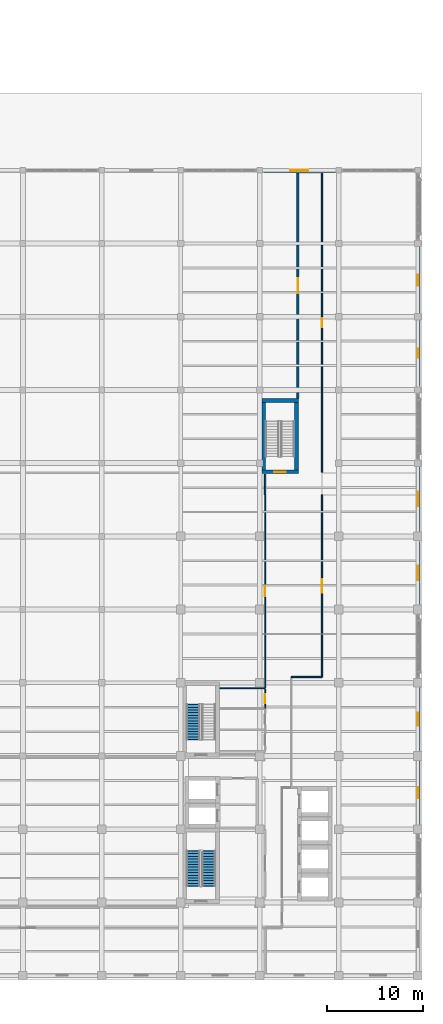
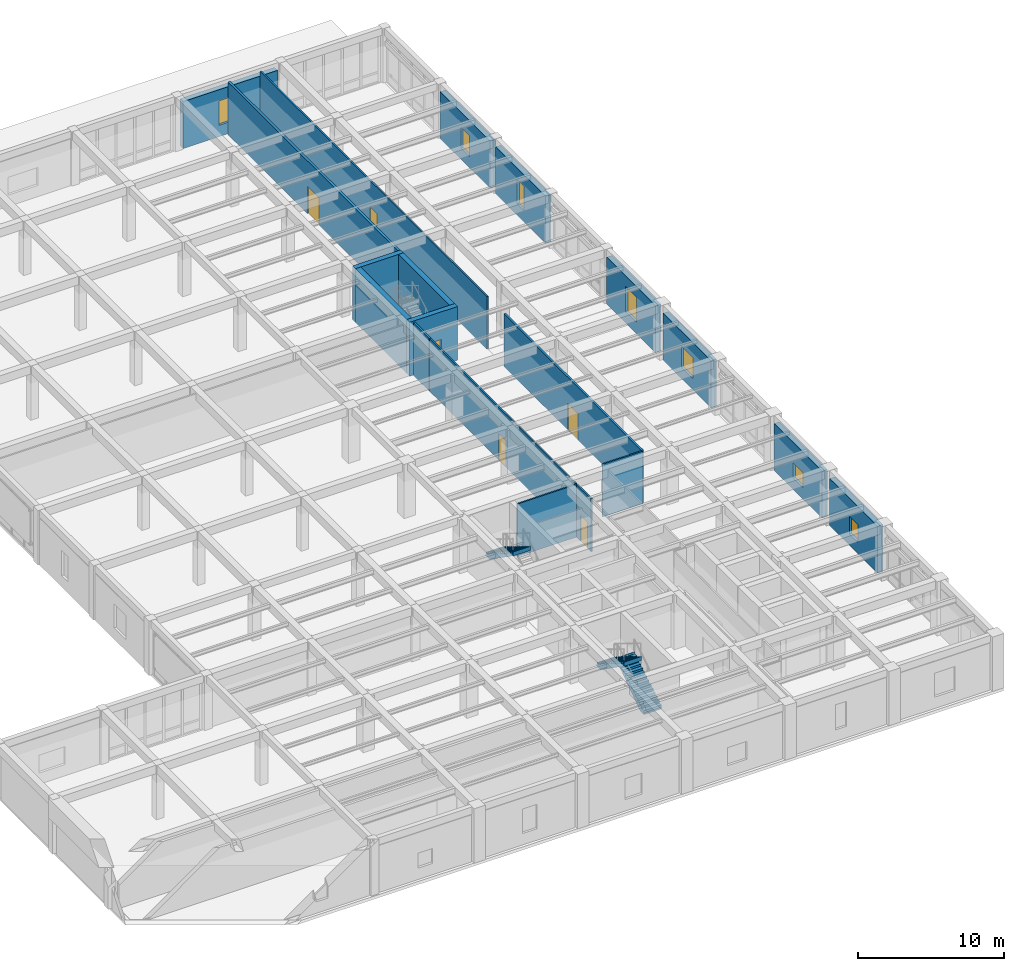
# One storey, part 39 of 49: 19 walls, 7 windows, 6 doors, 3 stair flights, 13 openings, 2 elements without a shape of their own.
"""IFC4 building model written with IfcOpenShell, lengths in metres."""

from ifc_helpers import new_model, si_unit, direction, frame, frame_2d, origin, place, context, subcontext, project, spatial, polyline, rectangle, outline, extrude, material, layer, layer_set, type_object, element, fill, aggregate, save


model = new_model("IFC4")

# Units and contexts
model_context = context("Model", 3, precision=1e-05, world=origin(), true_north=direction((0.0, 1.0)))
body_context = subcontext(model_context, "Body", "Model", "MODEL_VIEW")
ifc_project = project(units=[si_unit("LENGTHUNIT", "METRE"), si_unit("AREAUNIT", "SQUARE_METRE"), si_unit("VOLUMEUNIT", "CUBIC_METRE"), si_unit("PLANEANGLEUNIT", "RADIAN"), si_unit("MASSUNIT", "GRAM", prefix="KILO")], contexts=[model_context])

# Site, building, storey
site_placement = place(None, origin())
site = spatial("IfcSite", under=ifc_project, at=site_placement, CompositionType="ELEMENT")
building_placement = place(site_placement, origin())
building = spatial("IfcBuilding", under=site, at=building_placement, Name="Qandaris Square Conservatory and Botanical Centre", CompositionType="ELEMENT")
storey_placement = place(building_placement, frame((0.0, 0.0, 10.199951171875)))
storey = spatial("IfcBuildingStorey", under=building, at=storey_placement, Name="L02", CompositionType="ELEMENT", Elevation=10.199951171875)

# Wall, opening, door
ifc_material_1 = material(Name="Gypsum Plasterboard", Category="gypsum")
ifc_layer_1 = layer(ifc_material_1, 0.14990234375)
ifc_layer_set_1 = layer_set([ifc_layer_1], Name="Gypsum Plasterboard")
wall_type_1 = type_object("IfcWallType", Name="Acoustic Laboratory Partition 150mm", PredefinedType="PARTITIONING", material=ifc_layer_set_1)
wall_1_placement = place(storey_placement, frame((153.85009765625, 66.5, 0.0), z_axis=(0.0, 0.0, 1.0), x_axis=(0.0, -1.0, 0.0)))
wall_1 = element("IfcWall", 1, at=wall_1_placement, inside=storey, type_object=wall_type_1, Name="Interior Partition IW-L02-0151", PredefinedType="PARTITIONING", context=body_context, shape_type="SweptSolid", body=[
    extrude(rectangle(XDim=18.89990234375, YDim=0.14990234375, at=frame_2d((9.449951171875, 0.0))), origin(), (0.0, 0.0, 1.0), 4.405029296875),
])
opening_1_placement = place(wall_1_placement, frame((8.75, 0.0, 0.0)))
opening_1 = element("IfcOpeningElement", 2, at=opening_1_placement, cuts=wall_1, Name="Opening D-LAB1", PredefinedType="OPENING", context=body_context, shape_type="SweptSolid", body=[
    extrude(rectangle(XDim=1.39990234375, YDim=2.199951171875, at=frame_2d((0.699951171875, 1.10009765625))), frame((0.0, 0.0869140625, 0.0), z_axis=(0.0, -1.0, 0.0), x_axis=(1.0, 0.0, 0.0)), (0.0, 0.0, 1.0), 0.173828125),
])
ifc_material_2 = material(Name="Engineered Oak Timber", Category="wood")
door_type_1 = type_object("IfcDoorType", Name="Research Laboratory Leaf-and-Half Door 1400x2200", OperationType="DOUBLE_DOOR_SINGLE_SWING", PredefinedType="DOOR", material=ifc_material_2)
door_1_placement = place(opening_1_placement, frame((1.39990234375, 0.0, 0.0), z_axis=(0.0, 0.0, 1.0), x_axis=(-1.0, 0.0, 0.0)))
door_1 = element("IfcDoor", 3, at=door_1_placement, inside=storey, type_object=door_type_1, Name="DR-0131 Plant Taxonomy Wet Laboratory Door", OperationType="DOUBLE_DOOR_SINGLE_SWING", OverallHeight=2.199951171875, OverallWidth=1.39990234375, PredefinedType="DOOR", context=body_context, shape_type="SweptSolid", body=[
    extrude(rectangle(XDim=1.39990234375, YDim=2.199951171875, at=frame_2d((0.699951171875, 1.10009765625))), frame((0.0, 0.02490234375, 0.0), z_axis=(0.0, -1.0, 0.0), x_axis=(1.0, 0.0, 0.0)), (0.0, 0.0, 1.0), 0.050048828125),
])
fill(opening_1, door_1)

# Wall
wall_2_placement = place(storey_placement, frame((147.949951171875, 66.5, 0.0), z_axis=(0.0, 0.0, 1.0), x_axis=(0.0, 1.0, 0.0)))
element("IfcWall", 4, at=wall_2_placement, inside=storey, type_object=wall_type_1, Name="Interior Partition IW-L02-0156", PredefinedType="PARTITIONING", context=body_context, shape_type="SweptSolid", body=[
    extrude(rectangle(XDim=2.169921875, YDim=0.14990234375, at=frame_2d((1.0849609375, 0.0))), origin(), (0.0, 0.0, 1.0), 4.405029296875),
])

# Wall, opening, door
ifc_material_3 = material(Name="Concrete C40/50", Category="concrete")
ifc_layer_2 = layer(ifc_material_3, 0.199951171875)
ifc_layer_set_2 = layer_set([ifc_layer_2], Name="Concrete C40/50")
wall_type_2 = type_object("IfcWallType", Name="Herbarium & Plant Compartment Wall 200mm", PredefinedType="PARTITIONING", material=ifc_layer_set_2)
wall_3_placement = place(storey_placement, frame((151.35009765625, 76.530029296875, 0.0), z_axis=(0.0, 0.0, 1.0), x_axis=(0.0, 1.0, 0.0)))
wall_3 = element("IfcWall", 5, at=wall_3_placement, inside=storey, type_object=wall_type_2, Name="Interior Partition IW-L02-0157", PredefinedType="PARTITIONING", context=body_context, shape_type="SweptSolid", body=[
    extrude(rectangle(XDim=23.369873046875, YDim=0.199951171875, at=frame_2d((11.68505859375, 0.0))), origin(), (0.0, 0.0, 1.0), 4.405029296875),
])
opening_2_placement = place(wall_3_placement, frame((10.885009765625, 0.0, 0.0)))
opening_2 = element("IfcOpeningElement", 6, at=opening_2_placement, cuts=wall_3, Name="Opening D-HRB1", PredefinedType="OPENING", context=body_context, shape_type="SweptSolid", body=[
    extrude(rectangle(XDim=1.60009765625, YDim=2.300048828125, at=frame_2d((0.800048828125, 1.14990234375))), frame((0.0, 0.11181640625, 0.0), z_axis=(0.0, -1.0, 0.0), x_axis=(1.0, 0.0, 0.0)), (0.0, 0.0, 1.0), 0.223876953125),
])
ifc_material_4 = material(Name="Steel S355", Category="steel")
door_type_2 = type_object("IfcDoorType", Name="Herbarium Sealable Specimen Double Door 1600x2300", OperationType="DOUBLE_DOOR_SINGLE_SWING", PredefinedType="DOOR", material=ifc_material_4)
door_2_placement = place(opening_2_placement, frame((1.60009765625, 0.0, 0.0), z_axis=(0.0, 0.0, 1.0), x_axis=(-1.0, 0.0, 0.0)))
door_2 = element("IfcDoor", 7, at=door_2_placement, inside=storey, type_object=door_type_2, Name="DR-0130 Cryptogamic Herbarium Collection Door", OperationType="DOUBLE_DOOR_SINGLE_SWING", OverallHeight=2.300048828125, OverallWidth=1.60009765625, PredefinedType="DOOR", context=body_context, shape_type="SweptSolid", body=[
    extrude(rectangle(XDim=1.60009765625, YDim=2.300048828125, at=frame_2d((0.800048828125, 1.14990234375))), frame((0.0, 0.02490234375, 0.0), z_axis=(0.0, -1.0, 0.0), x_axis=(1.0, 0.0, 0.0)), (0.0, 0.0, 1.0), 0.050048828125),
])
fill(opening_2, door_2)

# Wall, opening, window
ifc_layer_3 = layer(ifc_material_3, 0.419921875)
ifc_layer_set_3 = layer_set([ifc_layer_3], Name="Concrete C40/50")
wall_type_3 = type_object("IfcWallType", Name="Insulated Qatari Limestone Cavity Wall 420mm", PredefinedType="SOLIDWALL", material=ifc_layer_set_3)
wall_4_placement = place(storey_placement, frame((163.800048828125, 32.31005859375, 0.0), z_axis=(0.0, 0.0, 1.0), x_axis=(0.0, 1.0, 0.0)))
wall_4 = element("IfcWall", 8, at=wall_4_placement, inside=storey, type_object=wall_type_3, Name="Exterior Wall EW-TWR-L02-2-3", PredefinedType="SOLIDWALL", context=body_context, shape_type="SweptSolid", body=[
    extrude(rectangle(XDim=6.579833984375, YDim=0.419921875, at=frame_2d((3.2900390625, 0.0))), origin(), (0.0, 0.0, 1.0), 3.929931640625),
])
opening_3_placement = place(wall_4_placement, frame((2.715087890625, 0.0, 0.949951171875)))
opening_3 = element("IfcOpeningElement", 9, at=opening_3_placement, cuts=wall_4, Name="Opening WN-18", PredefinedType="OPENING", context=body_context, shape_type="SweptSolid", body=[
    extrude(rectangle(XDim=1.14990234375, YDim=1.5, at=frame_2d((0.574951171875, 0.75))), frame((0.0, 0.221923828125, 0.0), z_axis=(0.0, -1.0, 0.0), x_axis=(1.0, 0.0, 0.0)), (0.0, 0.0, 1.0), 0.44384765625),
])
ifc_material_5 = material(Name="Tempered Low-E Glass", Category="glass")
window_type_1 = type_object("IfcWindowType", Name="Solar Control Window 1150x1500", PartitioningType="SINGLE_PANEL", PredefinedType="WINDOW", material=ifc_material_5)
window_1_placement = place(opening_3_placement, origin())
window_1 = element("IfcWindow", 10, at=window_1_placement, inside=storey, type_object=window_type_1, Name="Window EW-TWR-L02-2-3", OverallHeight=1.5, OverallWidth=1.14990234375, PartitioningType="SINGLE_PANEL", PredefinedType="WINDOW", context=body_context, shape_type="SweptSolid", body=[
    extrude(rectangle(XDim=1.14990234375, YDim=1.5, at=frame_2d((0.574951171875, 0.75))), frame((0.0, 0.030029296875, 0.0), z_axis=(0.0, -1.0, 0.0), x_axis=(1.0, 0.0, 0.0)), (0.0, 0.0, 1.0), 0.06005859375),
])
fill(opening_3, window_1)

wall_5_placement = place(storey_placement, frame((163.800048828125, 39.909912109375, 0.0), z_axis=(0.0, 0.0, 1.0), x_axis=(0.0, 1.0, 0.0)))
wall_5 = element("IfcWall", 11, at=wall_5_placement, inside=storey, type_object=wall_type_3, Name="Exterior Wall EW-TWR-L02-2-4", PredefinedType="SOLIDWALL", context=body_context, shape_type="SweptSolid", body=[
    extrude(rectangle(XDim=6.580078125, YDim=0.419921875, at=frame_2d((3.2900390625, 0.0))), origin(), (0.0, 0.0, 1.0), 3.929931640625),
])
opening_4_placement = place(wall_5_placement, frame((2.614990234375, 0.0, 0.949951171875)))
opening_4 = element("IfcOpeningElement", 12, at=opening_4_placement, cuts=wall_5, Name="Opening WN-21", PredefinedType="OPENING", context=body_context, shape_type="SweptSolid", body=[
    extrude(rectangle(XDim=1.35009765625, YDim=1.25, at=frame_2d((0.675048828125, 0.625))), frame((0.0, 0.221923828125, 0.0), z_axis=(0.0, -1.0, 0.0), x_axis=(1.0, 0.0, 0.0)), (0.0, 0.0, 1.0), 0.44384765625),
])
window_type_2 = type_object("IfcWindowType", Name="Solar Control Window 1350x1250", PartitioningType="SINGLE_PANEL", PredefinedType="WINDOW", material=ifc_material_5)
window_2_placement = place(opening_4_placement, origin())
window_2 = element("IfcWindow", 13, at=window_2_placement, inside=storey, type_object=window_type_2, Name="Window EW-TWR-L02-2-4", OverallHeight=1.25, OverallWidth=1.35009765625, PartitioningType="SINGLE_PANEL", PredefinedType="WINDOW", context=body_context, shape_type="SweptSolid", body=[
    extrude(rectangle(XDim=1.35009765625, YDim=1.25, at=frame_2d((0.675048828125, 0.625))), frame((0.0, 0.030029296875, 0.0), z_axis=(0.0, -1.0, 0.0), x_axis=(1.0, 0.0, 0.0)), (0.0, 0.0, 1.0), 0.06005859375),
])
fill(opening_4, window_2)

wall_6_placement = place(storey_placement, frame((163.800048828125, 55.110107421875, 0.0), z_axis=(0.0, 0.0, 1.0), x_axis=(0.0, 1.0, 0.0)))
wall_6 = element("IfcWall", 14, at=wall_6_placement, inside=storey, type_object=wall_type_3, Name="Exterior Wall EW-TWR-L02-2-6", PredefinedType="SOLIDWALL", context=body_context, shape_type="SweptSolid", body=[
    extrude(rectangle(XDim=6.579833984375, YDim=0.419921875, at=frame_2d((3.2900390625, 0.0))), origin(), (0.0, 0.0, 1.0), 3.929931640625),
])
opening_5_placement = place(wall_6_placement, frame((2.514892578125, 0.0, 0.949951171875)))
opening_5 = element("IfcOpeningElement", 15, at=opening_5_placement, cuts=wall_6, Name="Opening WN-27", PredefinedType="OPENING", context=body_context, shape_type="SweptSolid", body=[
    extrude(rectangle(XDim=1.550048828125, YDim=1.75, at=frame_2d((0.77490234375, 0.875))), frame((0.0, 0.221923828125, 0.0), z_axis=(0.0, -1.0, 0.0), x_axis=(1.0, 0.0, 0.0)), (0.0, 0.0, 1.0), 0.44384765625),
])
window_type_3 = type_object("IfcWindowType", Name="Solar Control Window 1550x1750", PartitioningType="DOUBLE_PANEL_VERTICAL", PredefinedType="WINDOW", material=ifc_material_5)
window_3_placement = place(opening_5_placement, origin())
window_3 = element("IfcWindow", 16, at=window_3_placement, inside=storey, type_object=window_type_3, Name="Window EW-TWR-L02-2-6", OverallHeight=1.75, OverallWidth=1.550048828125, PartitioningType="DOUBLE_PANEL_VERTICAL", PredefinedType="WINDOW", context=body_context, shape_type="SweptSolid", body=[
    extrude(rectangle(XDim=1.550048828125, YDim=1.75, at=frame_2d((0.77490234375, 0.875))), frame((0.0, 0.030029296875, 0.0), z_axis=(0.0, -1.0, 0.0), x_axis=(1.0, 0.0, 0.0)), (0.0, 0.0, 1.0), 0.06005859375),
])
fill(opening_5, window_3)

wall_7_placement = place(storey_placement, frame((163.800048828125, 62.7099609375, 0.0), z_axis=(0.0, 0.0, 1.0), x_axis=(0.0, 1.0, 0.0)))
wall_7 = element("IfcWall", 17, at=wall_7_placement, inside=storey, type_object=wall_type_3, Name="Exterior Wall EW-TWR-L02-2-7", PredefinedType="SOLIDWALL", context=body_context, shape_type="SweptSolid", body=[
    extrude(rectangle(XDim=6.705078125, YDim=0.419921875, at=frame_2d((3.3525390625, 0.0))), origin(), (0.0, 0.0, 1.0), 3.929931640625),
])
opening_6_placement = place(wall_7_placement, frame((2.6025390625, 0.0, 0.949951171875)))
opening_6 = element("IfcOpeningElement", 18, at=opening_6_placement, cuts=wall_7, Name="Opening WN-02", PredefinedType="OPENING", context=body_context, shape_type="SweptSolid", body=[
    extrude(rectangle(XDim=1.5, YDim=2.10009765625, at=frame_2d((0.75, 1.050048828125))), frame((0.0, 0.221923828125, 0.0), z_axis=(0.0, -1.0, 0.0), x_axis=(1.0, 0.0, 0.0)), (0.0, 0.0, 1.0), 0.44384765625),
])
window_type_4 = type_object("IfcWindowType", Name="Deep-Set Paired Research Window 1500x2100", PartitioningType="DOUBLE_PANEL_VERTICAL", PredefinedType="WINDOW", material=ifc_material_5)
window_4_placement = place(opening_6_placement, origin())
window_4 = element("IfcWindow", 19, at=window_4_placement, inside=storey, type_object=window_type_4, Name="Window EW-TWR-L02-2-7", OverallHeight=2.10009765625, OverallWidth=1.5, PartitioningType="DOUBLE_PANEL_VERTICAL", PredefinedType="WINDOW", context=body_context, shape_type="SweptSolid", body=[
    extrude(rectangle(XDim=1.5, YDim=2.10009765625, at=frame_2d((0.75, 1.050048828125))), frame((0.0, 0.030029296875, 0.0), z_axis=(0.0, -1.0, 0.0), x_axis=(1.0, 0.0, 0.0)), (0.0, 0.0, 1.0), 0.06005859375),
])
fill(opening_6, window_4)

wall_8_placement = place(storey_placement, frame((163.800048828125, 77.784912109375, 0.0), z_axis=(0.0, 0.0, 1.0), x_axis=(0.0, 1.0, 0.0)))
wall_8 = element("IfcWall", 20, at=wall_8_placement, inside=storey, type_object=wall_type_3, Name="Exterior Wall EW-TWR-L02-2-9", PredefinedType="SOLIDWALL", context=body_context, shape_type="SweptSolid", body=[
    extrude(rectangle(XDim=6.830078125, YDim=0.419921875, at=frame_2d((3.4150390625, 0.0))), origin(), (0.0, 0.0, 1.0), 3.929931640625),
])
opening_7_placement = place(wall_8_placement, frame((2.93994140625, 0.0, 0.949951171875)))
opening_7 = element("IfcOpeningElement", 21, at=opening_7_placement, cuts=wall_8, Name="Opening WN-16", PredefinedType="OPENING", context=body_context, shape_type="SweptSolid", body=[
    extrude(rectangle(XDim=0.949951171875, YDim=2.050048828125, at=frame_2d((0.47509765625, 1.02490234375))), frame((0.0, 0.221923828125, 0.0), z_axis=(0.0, -1.0, 0.0), x_axis=(1.0, 0.0, 0.0)), (0.0, 0.0, 1.0), 0.44384765625),
])
window_type_5 = type_object("IfcWindowType", Name="Solar Control Window 950x2050", PartitioningType="SINGLE_PANEL", PredefinedType="WINDOW", material=ifc_material_5)
window_5_placement = place(opening_7_placement, origin())
window_5 = element("IfcWindow", 22, at=window_5_placement, inside=storey, type_object=window_type_5, Name="Window EW-TWR-L02-2-9", OverallHeight=2.050048828125, OverallWidth=0.949951171875, PartitioningType="SINGLE_PANEL", PredefinedType="WINDOW", context=body_context, shape_type="SweptSolid", body=[
    extrude(rectangle(XDim=0.949951171875, YDim=2.050048828125, at=frame_2d((0.47509765625, 1.02490234375))), frame((0.0, 0.030029296875, 0.0), z_axis=(0.0, -1.0, 0.0), x_axis=(1.0, 0.0, 0.0)), (0.0, 0.0, 1.0), 0.06005859375),
])
fill(opening_7, window_5)

wall_9_placement = place(storey_placement, frame((163.800048828125, 85.385009765625, 0.0), z_axis=(0.0, 0.0, 1.0), x_axis=(0.0, 1.0, 0.0)))
wall_9 = element("IfcWall", 23, at=wall_9_placement, inside=storey, type_object=wall_type_3, Name="Exterior Wall EW-TWR-L02-2-10", PredefinedType="SOLIDWALL", context=body_context, shape_type="SweptSolid", body=[
    extrude(rectangle(XDim=6.830078125, YDim=0.419921875, at=frame_2d((3.4150390625, 0.0))), origin(), (0.0, 0.0, 1.0), 3.929931640625),
])
opening_8_placement = place(wall_9_placement, frame((2.840087890625, 0.0, 0.949951171875)))
opening_8 = element("IfcOpeningElement", 24, at=opening_8_placement, cuts=wall_9, Name="Opening WN-19", PredefinedType="OPENING", context=body_context, shape_type="SweptSolid", body=[
    extrude(rectangle(XDim=1.14990234375, YDim=1.75, at=frame_2d((0.574951171875, 0.875))), frame((0.0, 0.221923828125, 0.0), z_axis=(0.0, -1.0, 0.0), x_axis=(1.0, 0.0, 0.0)), (0.0, 0.0, 1.0), 0.44384765625),
])
window_type_6 = type_object("IfcWindowType", Name="Solar Control Window 1150x1750", PartitioningType="SINGLE_PANEL", PredefinedType="WINDOW", material=ifc_material_5)
window_6_placement = place(opening_8_placement, origin())
window_6 = element("IfcWindow", 25, at=window_6_placement, inside=storey, type_object=window_type_6, Name="Window EW-TWR-L02-2-10", OverallHeight=1.75, OverallWidth=1.14990234375, PartitioningType="SINGLE_PANEL", PredefinedType="WINDOW", context=body_context, shape_type="SweptSolid", body=[
    extrude(rectangle(XDim=1.14990234375, YDim=1.75, at=frame_2d((0.574951171875, 0.875))), frame((0.0, 0.030029296875, 0.0), z_axis=(0.0, -1.0, 0.0), x_axis=(1.0, 0.0, 0.0)), (0.0, 0.0, 1.0), 0.06005859375),
])
fill(opening_8, window_6)

wall_10_placement = place(storey_placement, frame((155.239990234375, 100.199951171875, 0.0), z_axis=(0.0, 0.0, 1.0), x_axis=(-1.0, 0.0, 0.0)))
wall_10 = element("IfcWall", 26, at=wall_10_placement, inside=storey, type_object=wall_type_3, Name="Exterior Wall EW-TWR-L02-3-2", PredefinedType="SOLIDWALL", context=body_context, shape_type="SweptSolid", body=[
    extrude(rectangle(XDim=7.47998046875, YDim=0.419921875, at=frame_2d((3.739990234375, 0.0))), origin(), (0.0, 0.0, 1.0), 3.929931640625),
])
opening_9_placement = place(wall_10_placement, frame((2.81494140625, 0.0, 0.949951171875)))
opening_9 = element("IfcOpeningElement", 27, at=opening_9_placement, cuts=wall_10, Name="Opening WN-32", PredefinedType="OPENING", context=body_context, shape_type="SweptSolid", body=[
    extrude(rectangle(XDim=1.85009765625, YDim=2.050048828125, at=frame_2d((0.925048828125, 1.02490234375))), frame((0.0, 0.221923828125, 0.0), z_axis=(0.0, -1.0, 0.0), x_axis=(1.0, 0.0, 0.0)), (0.0, 0.0, 1.0), 0.44384765625),
])
window_type_7 = type_object("IfcWindowType", Name="Solar Control Window 1850x2050", PartitioningType="DOUBLE_PANEL_VERTICAL", PredefinedType="WINDOW", material=ifc_material_5)
window_7_placement = place(opening_9_placement, origin())
window_7 = element("IfcWindow", 28, at=window_7_placement, inside=storey, type_object=window_type_7, Name="Window EW-TWR-L02-3-2", OverallHeight=2.050048828125, OverallWidth=1.85009765625, PartitioningType="DOUBLE_PANEL_VERTICAL", PredefinedType="WINDOW", context=body_context, shape_type="SweptSolid", body=[
    extrude(rectangle(XDim=1.85009765625, YDim=2.050048828125, at=frame_2d((0.925048828125, 1.02490234375))), frame((0.0, 0.030029296875, 0.0), z_axis=(0.0, -1.0, 0.0), x_axis=(1.0, 0.0, 0.0)), (0.0, 0.0, 1.0), 0.06005859375),
])
fill(opening_9, window_7)

# Wall, opening, door
ifc_material_6 = material(Name="Concrete C50/60", Category="concrete")
ifc_layer_4 = layer(ifc_material_6, 0.39990234375)
ifc_layer_set_4 = layer_set([ifc_layer_4], Name="Concrete C50/60")
wall_type_4 = type_object("IfcWallType", Name="RC Stair Core Shear Wall 400mm", PredefinedType="SHEAR", material=ifc_layer_set_4)
wall_11_placement = place(storey_placement, frame((147.60009765625, 68.89990234375, 0.0), z_axis=(0.0, 0.0, 1.0), x_axis=(1.0, 0.0, 0.0)))
wall_11 = element("IfcWall", 29, at=wall_11_placement, inside=storey, type_object=wall_type_4, Name="ST-3 Core Shear Wall South (L02)", PredefinedType="SHEAR", context=body_context, shape_type="SweptSolid", body=[
    extrude(rectangle(XDim=3.7998046875, YDim=0.39990234375, at=frame_2d((1.89990234375, 0.0))), origin(), (0.0, 0.0, 1.0), 4.510009765625),
])
opening_10_placement = place(wall_11_placement, frame((1.300048828125, 0.0, 0.0)))
opening_10 = element("IfcOpeningElement", 30, at=opening_10_placement, cuts=wall_11, Name="Opening D-ST1", PredefinedType="OPENING", context=body_context, shape_type="SweptSolid", body=[
    extrude(rectangle(XDim=1.199951171875, YDim=2.199951171875, at=frame_2d((0.60009765625, 1.10009765625))), frame((0.0, 0.2119140625, 0.0), z_axis=(0.0, -1.0, 0.0), x_axis=(1.0, 0.0, 0.0)), (0.0, 0.0, 1.0), 0.423828125),
])
door_type_3 = type_object("IfcDoorType", Name="Exit Stair Core Fire Door 1200x2200", OperationType="NOTDEFINED", PredefinedType="DOOR", material=ifc_material_4)
door_3_placement = place(opening_10_placement, origin())
door_3 = element("IfcDoor", 31, at=door_3_placement, inside=storey, type_object=door_type_3, Name="DR-0138 ST-3 Stair Core Door (L02)", OperationType="SINGLE_SWING_RIGHT", OverallHeight=2.199951171875, OverallWidth=1.199951171875, PredefinedType="DOOR", context=body_context, shape_type="SweptSolid", body=[
    extrude(rectangle(XDim=1.199951171875, YDim=2.199951171875, at=frame_2d((0.60009765625, 1.10009765625))), frame((0.0, 0.02490234375, 0.0), z_axis=(0.0, -1.0, 0.0), x_axis=(1.0, 0.0, 0.0)), (0.0, 0.0, 1.0), 0.050048828125),
])
fill(opening_10, door_3)

# Walls
wall_12_placement = place(storey_placement, frame((147.60009765625, 76.300048828125, 0.0), z_axis=(0.0, 0.0, 1.0), x_axis=(1.0, 0.0, 0.0)))
element("IfcWall", 32, at=wall_12_placement, inside=storey, type_object=wall_type_4, Name="ST-3 Core Shear Wall North (L02)", PredefinedType="SHEAR", context=body_context, shape_type="SweptSolid", body=[
    extrude(rectangle(XDim=3.7998046875, YDim=0.39990234375, at=frame_2d((1.89990234375, 0.0))), origin(), (0.0, 0.0, 1.0), 4.510009765625),
])
for number, where, z_axis, x_axis, name in (
    (33, (147.800048828125, 69.10009765625, 0.0), (0.0, 0.0, 1.0), (0.0, 1.0, 0.0), "ST-3 Core Shear Wall West (L02)"),
    (34, (151.199951171875, 69.10009765625, 0.0), (0.0, 0.0, 1.0), (0.0, 1.0, 0.0), "ST-3 Core Shear Wall East (L02)"),
):
    element("IfcWall", number, at=place(storey_placement, frame(where, z_axis=z_axis, x_axis=x_axis)), inside=storey, type_object=wall_type_4, Name=name, PredefinedType="SHEAR", context=body_context, shape_type="SweptSolid", body=[
        extrude(rectangle(XDim=7.0, YDim=0.39990234375, at=frame_2d((3.5, 0.0))), origin(), (0.0, 0.0, 1.0), 4.510009765625),
    ])
ifc_layer_5 = layer(ifc_material_1, 0.1201171875)
ifc_layer_set_5 = layer_set([ifc_layer_5], Name="Gypsum Plasterboard")
wall_type_5 = type_object("IfcWallType", Name="Standard Research Partition 120mm", PredefinedType="PARTITIONING", material=ifc_layer_set_5)
wall_13_placement = place(storey_placement, frame((143.22998046875, 46.419921875, 0.0), z_axis=(0.0, 0.0, 1.0), x_axis=(1.0, 0.0, 0.0)))
element("IfcWall", 35, at=wall_13_placement, inside=storey, type_object=wall_type_5, Name="Sanitary Toilet Partition Wall WCW-L02-NORTH1", PredefinedType="PARTITIONING", context=body_context, shape_type="SweptSolid", body=[
    extrude(rectangle(XDim=4.719970703125, YDim=0.1201171875, at=frame_2d((2.35986328125, 0.0))), origin(), (0.0, 0.0, 1.0), 4.405029296875),
])

# Wall, opening, door
wall_14_placement = place(storey_placement, frame((147.949951171875, 46.330078125, 0.0), z_axis=(0.0, 0.0, 1.0), x_axis=(0.0, -1.0, 0.0)))
wall_14 = element("IfcWall", 36, at=wall_14_placement, inside=storey, type_object=wall_type_5, Name="Interior Partition IW-L02-0145", PredefinedType="PARTITIONING", context=body_context, shape_type="SweptSolid", body=[
    extrude(rectangle(XDim=1.989990234375, YDim=0.1201171875, at=frame_2d((0.9951171875, 0.0))), origin(), (0.0, 0.0, 1.0), 4.405029296875),
])
opening_11_placement = place(wall_14_placement, frame((0.52001953125, 0.0, 0.0)))
opening_11 = element("IfcOpeningElement", 37, at=opening_11_placement, cuts=wall_14, Name="Opening D-WC1", PredefinedType="OPENING", context=body_context, shape_type="SweptSolid", body=[
    extrude(rectangle(XDim=0.949951171875, YDim=2.14990234375, at=frame_2d((0.47509765625, 1.074951171875))), frame((0.0, 0.072021484375, 0.0), z_axis=(0.0, -1.0, 0.0), x_axis=(1.0, 0.0, 0.0)), (0.0, 0.0, 1.0), 0.14404296875),
])
door_type_4 = type_object("IfcDoorType", Name="Accessible Sanitary Room Door 950x2150", OperationType="NOTDEFINED", PredefinedType="DOOR", material=ifc_material_2)
door_4_placement = place(opening_11_placement, frame((0.949951171875, 0.0, 0.0), z_axis=(0.0, 0.0, 1.0), x_axis=(-1.0, 0.0, 0.0)))
door_4 = element("IfcDoor", 38, at=door_4_placement, inside=storey, type_object=door_type_4, Name="DR-0142 Staff Female Toilet L02 Door", OperationType="SINGLE_SWING_RIGHT", OverallHeight=2.14990234375, OverallWidth=0.949951171875, PredefinedType="DOOR", context=body_context, shape_type="SweptSolid", body=[
    extrude(rectangle(XDim=0.949951171875, YDim=2.14990234375, at=frame_2d((0.47509765625, 1.074951171875))), frame((0.0, 0.02490234375, 0.0), z_axis=(0.0, -1.0, 0.0), x_axis=(1.0, 0.0, 0.0)), (0.0, 0.0, 1.0), 0.050048828125),
])
fill(opening_11, door_4)

# Wall
wall_15_placement = place(storey_placement, frame((153.85009765625, 47.60009765625, 0.0), z_axis=(0.0, 0.0, 1.0), x_axis=(-1.0, 0.0, 0.0)))
element("IfcWall", 39, at=wall_15_placement, inside=storey, type_object=wall_type_5, Name="Interior Partition IW-L02-0152", PredefinedType="PARTITIONING", context=body_context, shape_type="SweptSolid", body=[
    extrude(rectangle(XDim=3.2001953125, YDim=0.1201171875, at=frame_2d((1.60009765625, 0.0))), origin(), (0.0, 0.0, 1.0), 4.405029296875),
])

# Wall, opening, door
wall_16_placement = place(storey_placement, frame((147.949951171875, 46.510009765625, 0.0), z_axis=(0.0, 0.0, 1.0), x_axis=(0.0, 1.0, 0.0)))
wall_16 = element("IfcWall", 40, at=wall_16_placement, inside=storey, type_object=wall_type_5, Name="Interior Partition IW-L02-0155", PredefinedType="PARTITIONING", context=body_context, shape_type="SweptSolid", body=[
    extrude(rectangle(XDim=19.989990234375, YDim=0.1201171875, at=frame_2d((9.9951171875, 0.0))), origin(), (0.0, 0.0, 1.0), 4.405029296875),
])
opening_12_placement = place(wall_16_placement, frame((9.469970703125, 0.0, 0.0)))
opening_12 = element("IfcOpeningElement", 41, at=opening_12_placement, cuts=wall_16, Name="Opening D-LAB2", PredefinedType="OPENING", context=body_context, shape_type="SweptSolid", body=[
    extrude(rectangle(XDim=1.050048828125, YDim=2.199951171875, at=frame_2d((0.52490234375, 1.10009765625))), frame((0.0, 0.072021484375, 0.0), z_axis=(0.0, -1.0, 0.0), x_axis=(1.0, 0.0, 0.0)), (0.0, 0.0, 1.0), 0.14404296875),
])
door_type_5 = type_object("IfcDoorType", Name="Analytical Laboratory Single Door 1050x2200", OperationType="NOTDEFINED", PredefinedType="DOOR", material=ifc_material_2)
door_5_placement = place(opening_12_placement, origin())
door_5 = element("IfcDoor", 42, at=door_5_placement, inside=storey, type_object=door_type_5, Name="DR-0132 Microscopy and Palynology Laboratory Door", OperationType="SINGLE_SWING_RIGHT", OverallHeight=2.199951171875, OverallWidth=1.050048828125, PredefinedType="DOOR", context=body_context, shape_type="SweptSolid", body=[
    extrude(rectangle(XDim=1.050048828125, YDim=2.199951171875, at=frame_2d((0.52490234375, 1.10009765625))), frame((0.0, 0.02490234375, 0.0), z_axis=(0.0, -1.0, 0.0), x_axis=(1.0, 0.0, 0.0)), (0.0, 0.0, 1.0), 0.050048828125),
])
fill(opening_12, door_5)

wall_17_placement = place(storey_placement, frame((153.85009765625, 99.89990234375, 0.0), z_axis=(0.0, 0.0, 1.0), x_axis=(0.0, -1.0, 0.0)))
wall_17 = element("IfcWall", 43, at=wall_17_placement, inside=storey, type_object=wall_type_5, Name="Interior Partition IW-L02-0158", PredefinedType="PARTITIONING", context=body_context, shape_type="SweptSolid", body=[
    extrude(rectangle(XDim=31.0498046875, YDim=0.1201171875, at=frame_2d((15.52490234375, 0.0))), origin(), (0.0, 0.0, 1.0), 4.405029296875),
])
opening_13_placement = place(wall_17_placement, frame((15.050048828125, 0.0, 0.0)))
opening_13 = element("IfcOpeningElement", 44, at=opening_13_placement, cuts=wall_17, Name="Opening D-OFF1", PredefinedType="OPENING", context=body_context, shape_type="SweptSolid", body=[
    extrude(rectangle(XDim=0.949951171875, YDim=2.199951171875, at=frame_2d((0.47509765625, 1.10009765625))), frame((0.0, 0.072021484375, 0.0), z_axis=(0.0, -1.0, 0.0), x_axis=(1.0, 0.0, 0.0)), (0.0, 0.0, 1.0), 0.14404296875),
])
door_type_6 = type_object("IfcDoorType", Name="Research Office Acoustic Door 950x2200", OperationType="NOTDEFINED", PredefinedType="DOOR", material=ifc_material_2)
door_6_placement = place(opening_13_placement, origin())
door_6 = element("IfcDoor", 45, at=door_6_placement, inside=storey, type_object=door_type_6, Name="DR-0134 Botany Floor Seminar Room Door", OperationType="SINGLE_SWING_LEFT", OverallHeight=2.199951171875, OverallWidth=0.949951171875, PredefinedType="DOOR", context=body_context, shape_type="SweptSolid", body=[
    extrude(rectangle(XDim=0.949951171875, YDim=2.199951171875, at=frame_2d((0.47509765625, 1.10009765625))), frame((0.0, 0.02490234375, 0.0), z_axis=(0.0, -1.0, 0.0), x_axis=(1.0, 0.0, 0.0)), (0.0, 0.0, 1.0), 0.050048828125),
])
fill(opening_13, door_6)

# Stair, stair flights
stair_type = type_object("IfcStairType", Name="Core Escape Scissor Stair", PredefinedType="HALF_TURN_STAIR", material=ifc_material_3)
stair_1_placement = place(storey_placement, origin())
stair_1 = element("IfcStair", 46, at=stair_1_placement, inside=storey, type_object=stair_type, Name="L02 Tower South Exit Stair ST-1", PredefinedType="HALF_TURN_STAIR")
ifc_material_7 = material(Name="Precast concrete C40/50", Category="concrete")
stair_flight_type = type_object("IfcStairFlightType", Name="RC Precast Stair Flight 1400mm", PredefinedType="STRAIGHT", material=ifc_material_7)
stair_flight_1_placement = place(storey_placement, frame((142.10009765625, 25.89990234375, 0.0), z_axis=(0.0, 0.0, 1.0), x_axis=(0.0, 1.0, 0.0)))
stair_flight_1 = element("IfcStairFlight", 47, at=stair_flight_1_placement, type_object=stair_flight_type, Name="ST-1 flight 1", NumberOfRisers=14, NumberOfTreads=13, PredefinedType="STRAIGHT", RiserHeight=0.171428571, TreadLength=0.28, context=body_context, shape_type="SweptSolid", body=[
    extrude(outline(polyline([(-0.034912109375, 0.0), (0.0, 0.0), (0.0, 0.17138671875), (0.280029296875, 0.17138671875), (0.280029296875, 0.3427734375), (0.56005859375, 0.3427734375), (0.56005859375, 0.514404296875), (0.840087890625, 0.514404296875), (0.840087890625, 0.685791015625), (1.1201171875, 0.685791015625), (1.1201171875, 0.857177734375), (1.39990234375, 0.857177734375), (1.39990234375, 1.028564453125), (1.679931640625, 1.028564453125), (1.679931640625, 1.199951171875), (1.9599609375, 1.199951171875), (1.9599609375, 1.371337890625), (2.239990234375, 1.371337890625), (2.239990234375, 1.54296875), (2.52001953125, 1.54296875), (2.52001953125, 1.71435546875), (2.800048828125, 1.71435546875), (2.800048828125, 1.8857421875), (3.080078125, 1.8857421875), (3.080078125, 2.05712890625), (3.360107421875, 2.05712890625), (3.360107421875, 2.228515625), (3.639892578125, 2.228515625), (3.639892578125, 2.39990234375), (3.6748046875, 2.39990234375), (3.6748046875, 2.052734375), (3.639892578125, 2.052734375), (0.515869140625, -0.139892578125), (-0.034912109375, -0.139892578125), (-0.034912109375, 0.0)])), frame((0.0, 0.699951171875, 0.0), z_axis=(0.0, -1.0, 0.0), x_axis=(1.0, 0.0, 0.0)), (0.0, 0.0, 1.0), 1.39990234375),
])
stair_flight_2_placement = place(storey_placement, frame((140.5, 29.5400390625, 2.400146484375), z_axis=(0.0, 0.0, 1.0), x_axis=(0.0, -1.0, 0.0)))
stair_flight_2 = element("IfcStairFlight", 48, at=stair_flight_2_placement, type_object=stair_flight_type, Name="ST-1 flight 2", NumberOfRisers=14, NumberOfTreads=13, PredefinedType="STRAIGHT", RiserHeight=0.171428571, TreadLength=0.28, context=body_context, shape_type="SweptSolid", body=[
    extrude(outline(polyline([(-0.034912109375, 0.0), (0.0, 0.0), (0.0, 0.17138671875), (0.280029296875, 0.17138671875), (0.280029296875, 0.3427734375), (0.56005859375, 0.3427734375), (0.56005859375, 0.514404296875), (0.840087890625, 0.514404296875), (0.840087890625, 0.685791015625), (1.1201171875, 0.685791015625), (1.1201171875, 0.857177734375), (1.39990234375, 0.857177734375), (1.39990234375, 1.028564453125), (1.679931640625, 1.028564453125), (1.679931640625, 1.199951171875), (1.9599609375, 1.199951171875), (1.9599609375, 1.371337890625), (2.239990234375, 1.371337890625), (2.239990234375, 1.54296875), (2.52001953125, 1.54296875), (2.52001953125, 1.71435546875), (2.800048828125, 1.71435546875), (2.800048828125, 1.8857421875), (3.080078125, 1.8857421875), (3.080078125, 2.05712890625), (3.360107421875, 2.05712890625), (3.360107421875, 2.228515625), (3.639892578125, 2.228515625), (3.639892578125, 2.39990234375), (3.6748046875, 2.39990234375), (3.6748046875, 2.052734375), (3.639892578125, 2.052734375), (0.515869140625, -0.139892578125), (-0.034912109375, -0.139892578125), (-0.034912109375, 0.0)])), frame((0.0, 0.699951171875, 0.0), z_axis=(0.0, -1.0, 0.0), x_axis=(1.0, 0.0, 0.0)), (0.0, 0.0, 1.0), 1.39990234375),
])
aggregate(stair_1, [stair_flight_1, stair_flight_2])

# Stair, stair flight
stair_2_placement = place(storey_placement, origin())
stair_2 = element("IfcStair", 49, at=stair_2_placement, inside=storey, type_object=stair_type, Name="L02 Tower North Exit Stair ST-2", PredefinedType="HALF_TURN_STAIR")
stair_flight_3_placement = place(storey_placement, frame((140.5, 44.739990234375, 2.400146484375), z_axis=(0.0, 0.0, 1.0), x_axis=(0.0, -1.0, 0.0)))
stair_flight_3 = element("IfcStairFlight", 50, at=stair_flight_3_placement, type_object=stair_flight_type, Name="ST-2 flight 2", NumberOfRisers=14, NumberOfTreads=13, PredefinedType="STRAIGHT", RiserHeight=0.171428571, TreadLength=0.28, context=body_context, shape_type="SweptSolid", body=[
    extrude(outline(polyline([(-0.034912109375, 0.0), (0.0, 0.0), (0.0, 0.17138671875), (0.280029296875, 0.17138671875), (0.280029296875, 0.3427734375), (0.56005859375, 0.3427734375), (0.56005859375, 0.514404296875), (0.840087890625, 0.514404296875), (0.840087890625, 0.685791015625), (1.1201171875, 0.685791015625), (1.1201171875, 0.857177734375), (1.39990234375, 0.857177734375), (1.39990234375, 1.028564453125), (1.679931640625, 1.028564453125), (1.679931640625, 1.199951171875), (1.9599609375, 1.199951171875), (1.9599609375, 1.371337890625), (2.239990234375, 1.371337890625), (2.239990234375, 1.54296875), (2.52001953125, 1.54296875), (2.52001953125, 1.71435546875), (2.800048828125, 1.71435546875), (2.800048828125, 1.8857421875), (3.080078125, 1.8857421875), (3.080078125, 2.05712890625), (3.360107421875, 2.05712890625), (3.360107421875, 2.228515625), (3.639892578125, 2.228515625), (3.639892578125, 2.39990234375), (3.6748046875, 2.39990234375), (3.6748046875, 2.052734375), (3.639892578125, 2.052734375), (0.515869140625, -0.139892578125), (-0.034912109375, -0.139892578125), (-0.034912109375, 0.0)])), frame((0.0, 0.699951171875, 0.0), z_axis=(0.0, -1.0, 0.0), x_axis=(1.0, 0.0, 0.0)), (0.0, 0.0, 1.0), 1.39990234375),
])
aggregate(stair_2, [stair_flight_3])

save(model, "model.ifc")
